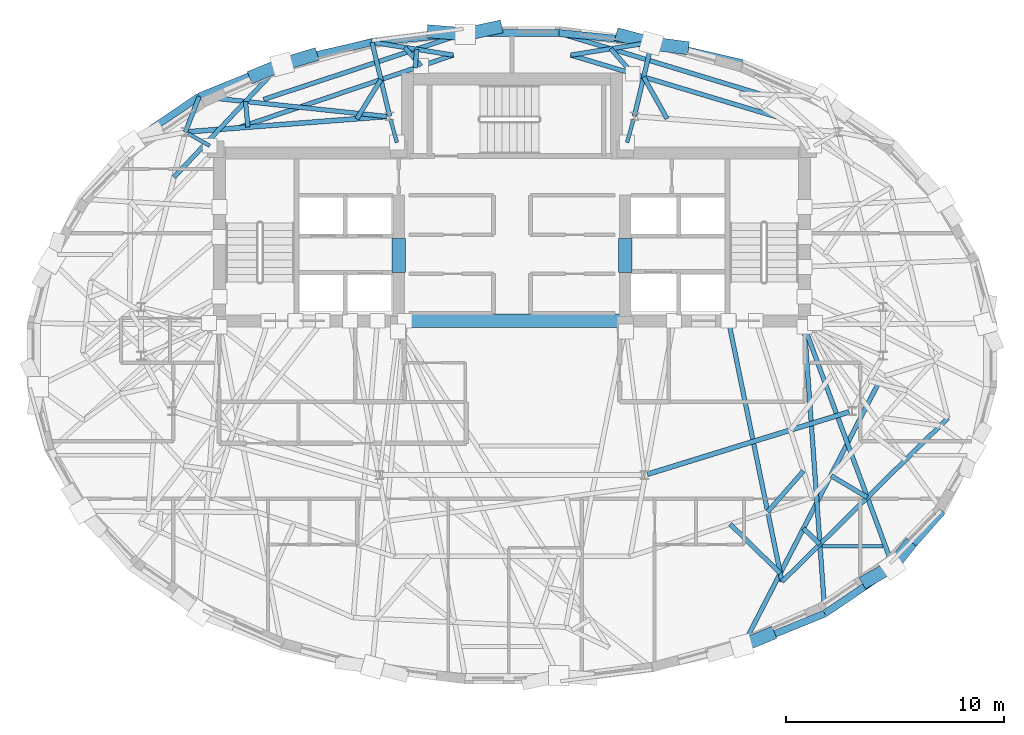
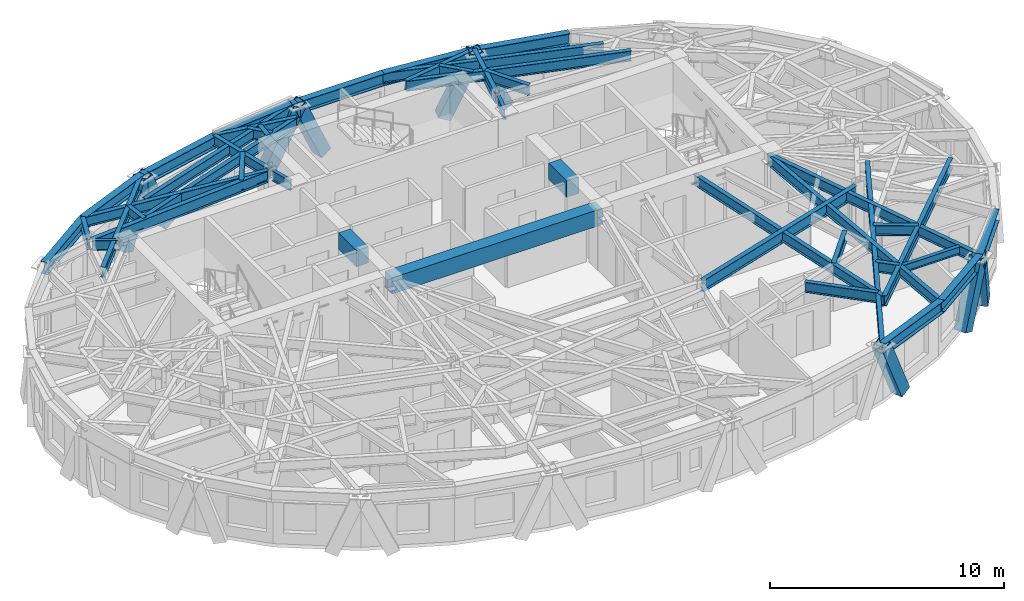
# One storey, part 3 of 13: 45 beams, 9 members.
"""IFC4 building model written with IfcOpenShell, lengths in metres."""

from ifc_helpers import new_model, si_unit, direction, frame, origin, origin_2d, place, context, subcontext, project, spatial, rectangle, hollow_rectangle, i_section, extrude, material, material_profile, profile_set, type_object, element, save


model = new_model("IFC4")

# Units and contexts
model_context = context("Model", 3, precision=1e-05, world=origin(), true_north=direction((0.0, 1.0)))
body_context = subcontext(model_context, "Body", "Model", "MODEL_VIEW")
ifc_project = project(units=[si_unit("LENGTHUNIT", "METRE"), si_unit("AREAUNIT", "SQUARE_METRE"), si_unit("VOLUMEUNIT", "CUBIC_METRE"), si_unit("PLANEANGLEUNIT", "RADIAN"), si_unit("MASSUNIT", "GRAM", prefix="KILO")], contexts=[model_context])

# Site, building, storey
site_placement = place(None, origin())
site = spatial("IfcSite", under=ifc_project, at=site_placement, CompositionType="ELEMENT")
building_placement = place(site_placement, origin())
building = spatial("IfcBuilding", under=site, at=building_placement, Name="Keldmark Tower", CompositionType="ELEMENT")
storey_placement = place(building_placement, frame((0.0, 0.0, 232.050048828125)))
storey = spatial("IfcBuildingStorey", under=building, at=storey_placement, Name="L65", CompositionType="ELEMENT", Elevation=232.050048828125)

# Beams
ifc_material_1 = material(Name="Steel ASTM A992 Grade 50", Category="steel")
ifc_material_profile_1 = material_profile(ifc_material_1, i_section(OverallWidth=0.177978515625, OverallDepth=0.403076171875, WebThickness=0.007568359375, FlangeThickness=0.010986328125, at=origin_2d()), Name="W16X36")
ifc_profile_set_1 = profile_set([ifc_material_profile_1], Name="Steel ASTM A992 Grade 50")
beam_type_1 = type_object("IfcBeamType", Name="Composite Floor Joist W16X36", PredefinedType="JOIST", material=ifc_profile_set_1)
beam_1_placement = place(storey_placement, frame((14.241455078125, -8.780029296875, 2.7685546875), z_axis=(1.0, 0.0, 0.0), x_axis=(0.0, 1.0, 0.0)))
element("IfcBeam", 1, at=beam_1_placement, inside=storey, type_object=beam_type_1, Name="L65 Composite Floor Joist J02", PredefinedType="JOIST", context=body_context, shape_type="SweptSolid", body=[
    extrude(i_section(OverallWidth=0.177978515625, OverallDepth=0.403076171875, WebThickness=0.007568359375, FlangeThickness=0.010986328125, at=origin_2d()), origin(), (0.0, 0.0, 1.0), 2.805419921875),
])
ifc_material_2 = material(Name="Concrete C50/60", Category="concrete")
ifc_material_profile_2 = material_profile(ifc_material_2, rectangle(XDim=0.60009765625, YDim=0.85009765625, at=origin_2d()), Name="RCB600X850")
ifc_profile_set_2 = profile_set([ifc_material_profile_2], Name="Concrete C50/60")
beam_type_2 = type_object("IfcBeamType", Name="Core Coupling Beam RCB600X850", PredefinedType="USERDEFINED", material=ifc_profile_set_2)
for number, where, z_axis, x_axis, name in (
    (2, (-5.199951171875, 3.800048828125, 2.544921875), (0.0, 1.0, 0.0), (-1.0, 0.0, 0.0), "L65 West Core Coupling Beam"),
    (3, (5.199951171875, 3.800048828125, 2.544921875), (0.0, 1.0, 0.0), (-1.0, 0.0, 0.0), "L65 East Core Coupling Beam"),
):
    element("IfcBeam", number, at=place(storey_placement, frame(where, z_axis=z_axis, x_axis=x_axis)), inside=storey, type_object=beam_type_2, Name=name, ObjectType="COUPLING BEAM", PredefinedType="USERDEFINED", context=body_context, shape_type="SweptSolid", body=[
        extrude(rectangle(XDim=0.60009765625, YDim=0.85009765625, at=origin_2d()), origin(), (0.0, 0.0, 1.0), 1.550048828125),
    ])
beam_2_placement = place(storey_placement, frame((-5.199951171875, 1.574951171875, 2.544921875), z_axis=(1.0, 0.0, 0.0), x_axis=(0.0, 1.0, 0.0)))
element("IfcBeam", 4, at=beam_2_placement, inside=storey, type_object=beam_type_2, Name="L65 Central South Core Coupling Beam", ObjectType="COUPLING BEAM", PredefinedType="USERDEFINED", context=body_context, shape_type="SweptSolid", body=[
    extrude(rectangle(XDim=0.60009765625, YDim=0.85009765625, at=origin_2d()), origin(), (0.0, 0.0, 1.0), 10.39990234375),
])

# Members
ifc_material_3 = material(Name="Steel ASTM A572 Grade 50", Category="steel")
ifc_material_profile_3 = material_profile(ifc_material_3, hollow_rectangle(XDim=0.60009765625, YDim=0.60009765625, WallThickness=0.034912109375, at=origin_2d()), Name="BOX600X600X35")
ifc_profile_set_3 = profile_set([ifc_material_profile_3], Name="Steel ASTM A572 Grade 50")
member_type = type_object("IfcMemberType", Name="Diagrid Zone 4 Brace BOX600X600X35", PredefinedType="BRACE", material=ifc_profile_set_3)
member_1_placement = place(storey_placement, frame((7.83935546875, 14.1220703125, -0.260009765625), z_axis=(-0.419875252522, 0.05540020693, 0.905889391367), x_axis=(-0.130810693925, -0.991407364485, 0.0)))
element("IfcMember", 5, at=member_1_placement, inside=storey, type_object=member_type, Name="L65 Perimeter Diagrid Brace 03B", PredefinedType="BRACE", context=body_context, shape_type="SweptSolid", body=[
    extrude(hollow_rectangle(XDim=0.60009765625, YDim=0.60009765625, WallThickness=0.034912109375, at=origin_2d()), origin(), (0.0, 0.0, 1.0), 3.432861328125),
])
member_2_placement = place(storey_placement, frame((5.050537109375, 14.669921875, -0.260009765625), z_axis=(0.397960766019, -0.106161024047, 0.911239302095), x_axis=(0.257749131885, 0.966211873769, 0.0)))
element("IfcMember", 6, at=member_2_placement, inside=storey, type_object=member_type, Name="L65 Perimeter Diagrid Brace 04A", PredefinedType="BRACE", context=body_context, shape_type="SweptSolid", body=[
    extrude(hollow_rectangle(XDim=0.60009765625, YDim=0.60009765625, WallThickness=0.034912109375, at=origin_2d()), origin(), (0.0, 0.0, 1.0), 3.412841796875),
])
member_3_placement = place(storey_placement, frame((-0.73681640625, 15.03515625, -0.260009765625), z_axis=(-0.41297782147, -0.089227117182, 0.906359664004), x_axis=(0.211184947414, -0.977446120247, 0.0)))
element("IfcMember", 7, at=member_3_placement, inside=storey, type_object=member_type, Name="L65 Perimeter Diagrid Brace 04B", PredefinedType="BRACE", context=body_context, shape_type="SweptSolid", body=[
    extrude(hollow_rectangle(XDim=0.60009765625, YDim=0.60009765625, WallThickness=0.034912109375, at=origin_2d()), origin(), (0.0, 0.0, 1.0), 3.43115234375),
])
member_4_placement = place(storey_placement, frame((-3.624267578125, 14.851318359375, -0.260009765625), z_axis=(0.429967981747, -0.035482450808, 0.902146623536), x_axis=(0.082243901852, 0.996612231817, 0.0)))
element("IfcMember", 8, at=member_4_placement, inside=storey, type_object=member_type, Name="L65 Perimeter Diagrid Brace 05A", PredefinedType="BRACE", context=body_context, shape_type="SweptSolid", body=[
    extrude(hollow_rectangle(XDim=0.60009765625, YDim=0.60009765625, WallThickness=0.034912109375, at=origin_2d()), origin(), (0.0, 0.0, 1.0), 3.447265625),
])
member_5_placement = place(storey_placement, frame((-9.212158203125, 13.748779296875, -0.260009765625), z_axis=(-0.393106124465, -0.11642815271, 0.912092133594), x_axis=(0.28398129133, -0.958829821279, 0.0)))
element("IfcMember", 9, at=member_5_placement, inside=storey, type_object=member_type, Name="L65 Perimeter Diagrid Brace 05B", PredefinedType="BRACE", context=body_context, shape_type="SweptSolid", body=[
    extrude(hollow_rectangle(XDim=0.60009765625, YDim=0.60009765625, WallThickness=0.034912109375, at=origin_2d()), origin(), (0.0, 0.0, 1.0), 3.40966796875),
])
for number, where, z_axis, x_axis, name in (
    (10, (-11.79345703125, 12.839111328125, -0.260009765625), (0.369084273861, 0.152441593611, 0.916808791039), (-0.381746765593, 0.924266956544, 0.0), "L65 Perimeter Diagrid Brace 06A"),
    (11, (11.79345703125, -12.839111328125, -0.260009765625), (-0.369084273861, -0.152441593611, 0.916808791039), (0.381746765593, -0.924266956544, 0.0), "L65 Perimeter Diagrid Brace 14A"),
):
    element("IfcMember", number, at=place(storey_placement, frame(where, z_axis=z_axis, x_axis=x_axis)), inside=storey, type_object=member_type, Name=name, PredefinedType="BRACE", context=body_context, shape_type="SweptSolid", body=[
        extrude(hollow_rectangle(XDim=0.60009765625, YDim=0.60009765625, WallThickness=0.034912109375, at=origin_2d()), origin(), (0.0, 0.0, 1.0), 3.39208984375),
    ])
member_6_placement = place(storey_placement, frame((16.324462890625, -10.34423828125, -0.260009765625), z_axis=(0.338365773657, 0.192287794861, 0.921159056388), x_axis=(-0.494076446789, 0.869418463531, 0.0)))
element("IfcMember", 12, at=member_6_placement, inside=storey, type_object=member_type, Name="L65 Perimeter Diagrid Brace 14B", PredefinedType="BRACE", context=body_context, shape_type="SweptSolid", body=[
    extrude(hollow_rectangle(XDim=0.60009765625, YDim=0.60009765625, WallThickness=0.034912109375, at=origin_2d()), origin(), (0.0, 0.0, 1.0), 3.3759765625),
])
member_7_placement = place(storey_placement, frame((18.16064453125, -8.81298828125, -0.260009765625), z_axis=(-0.212120336598, -0.268985698044, 0.939495426838), x_axis=(0.785218835087, -0.619218362958, 0.0)))
element("IfcMember", 13, at=member_7_placement, inside=storey, type_object=member_type, Name="L65 Perimeter Diagrid Brace 15A", PredefinedType="BRACE", context=body_context, shape_type="SweptSolid", body=[
    extrude(hollow_rectangle(XDim=0.60009765625, YDim=0.60009765625, WallThickness=0.034912109375, at=origin_2d()), origin(), (0.0, 0.0, 1.0), 3.31005859375),
])

# Beams
ifc_material_4 = material(Name="Steel ASTM A992 Grade 50", Category="steel")
ifc_material_profile_4 = material_profile(ifc_material_4, i_section(OverallWidth=0.22802734375, OverallDepth=0.60302734375, WebThickness=0.010498046875, FlangeThickness=0.014892578125, at=origin_2d()), Name="W24X68")
ifc_profile_set_4 = profile_set([ifc_material_profile_4], Name="Steel ASTM A992 Grade 50")
beam_type_3 = type_object("IfcBeamType", Name="Primary Floor Girder W24X68", PredefinedType="BEAM", material=ifc_profile_set_4)
beam_3_placement = place(storey_placement, frame((-5.75830078125, 10.956298828125, 2.66845703125), z_axis=(-0.997037147832, -0.076921556421, 0.0), x_axis=(0.076921556421, -0.997037147832, 0.0)))
element("IfcBeam", 14, at=beam_3_placement, inside=storey, type_object=beam_type_3, Name="L65 Floor Ring Girder FG-R04", PredefinedType="BEAM", context=body_context, shape_type="SweptSolid", body=[
    extrude(i_section(OverallWidth=0.22802734375, OverallDepth=0.60302734375, WebThickness=0.010498046875, FlangeThickness=0.014892578125, at=origin_2d()), origin(), (0.0, 0.0, 1.0), 9.125),
])
beam_4_placement = place(storey_placement, frame((6.223388671875, -5.471435546875, 2.66845703125), z_axis=(0.955383255089, 0.295368982622, 0.0), x_axis=(-0.295368982622, 0.955383255089, 0.0)))
element("IfcBeam", 15, at=beam_4_placement, inside=storey, type_object=beam_type_3, Name="L65 Floor Ring Girder FG-R10", PredefinedType="BEAM", context=body_context, shape_type="SweptSolid", body=[
    extrude(i_section(OverallWidth=0.22802734375, OverallDepth=0.60302734375, WebThickness=0.010498046875, FlangeThickness=0.014892578125, at=origin_2d()), origin(), (0.0, 0.0, 1.0), 9.69140625),
])
ifc_material_5 = material(Name="Steel ASTM A992 Grade 50", Category="steel")
ifc_material_profile_5 = material_profile(ifc_material_5, i_section(OverallWidth=0.166015625, OverallDepth=0.529052734375, WebThickness=0.009765625, FlangeThickness=0.013671875, at=origin_2d()), Name="W21X50")
ifc_profile_set_5 = profile_set([ifc_material_profile_5], Name="Steel ASTM A992 Grade 50")
beam_type_4 = type_object("IfcBeamType", Name="Radial Tie Girder W21X50", PredefinedType="BEAM", material=ifc_profile_set_5)
for number, where, z_axis, x_axis, name in (
    (16, (5.581298828125, 10.83203125, 2.70556640625), (-0.265936023434, -0.963990680163, 0.0), (0.963990680163, -0.265936023434, 0.0), "L65 Floor Radial Girder FG-C03"),
    (17, (-5.581298828125, 10.83203125, 2.70556640625), (0.265936023434, -0.963990680163, 0.0), (0.963990680163, 0.265936023434, 0.0), "L65 Floor Radial Girder FG-C04"),
):
    element("IfcBeam", number, at=place(storey_placement, frame(where, z_axis=z_axis, x_axis=x_axis)), inside=storey, type_object=beam_type_4, Name=name, PredefinedType="BEAM", context=body_context, shape_type="SweptSolid", body=[
        extrude(i_section(OverallWidth=0.166015625, OverallDepth=0.529052734375, WebThickness=0.009765625, FlangeThickness=0.013671875, at=origin_2d()), origin(), (0.0, 0.0, 1.0), 1.113525390625),
    ])
beam_5_placement = place(storey_placement, frame((-14.8740234375, 10.174560546875, 2.70556640625), z_axis=(0.869238046195, -0.494393789451, 0.0), x_axis=(0.494393789451, 0.869238046195, 0.0)))
element("IfcBeam", 18, at=beam_5_placement, inside=storey, type_object=beam_type_4, Name="L65 Floor Radial Girder FG-C05", PredefinedType="BEAM", context=body_context, shape_type="SweptSolid", body=[
    extrude(i_section(OverallWidth=0.166015625, OverallDepth=0.529052734375, WebThickness=0.009765625, FlangeThickness=0.013671875, at=origin_2d()), origin(), (0.0, 0.0, 1.0), 1.145751953125),
])
ifc_material_6 = material(Name="Steel ASTM A992 Grade 50", Category="steel")
ifc_material_profile_6 = material_profile(ifc_material_6, i_section(OverallWidth=0.2099609375, OverallDepth=0.537109375, WebThickness=0.010986328125, FlangeThickness=0.017333984375, at=origin_2d()), Name="W21X68")
ifc_profile_set_6 = profile_set([ifc_material_profile_6], Name="Steel ASTM A992 Grade 50")
beam_type_5 = type_object("IfcBeamType", Name="Radial Tie Girder W21X68", PredefinedType="BEAM", material=ifc_profile_set_6)
beam_6_placement = place(storey_placement, frame((13.381103515625, -5.323486328125, 2.701416015625), z_axis=(-0.658386631261, -0.752679907913, 0.0), x_axis=(0.752679907913, -0.658386631261, 0.0)))
element("IfcBeam", 19, at=beam_6_placement, inside=storey, type_object=beam_type_5, Name="L65 Framing Pin Header PH-011", PredefinedType="BEAM", context=body_context, shape_type="SweptSolid", body=[
    extrude(i_section(OverallWidth=0.2099609375, OverallDepth=0.537109375, WebThickness=0.010986328125, FlangeThickness=0.017333984375, at=origin_2d()), origin(), (0.0, 0.0, 1.0), 2.49072265625),
])
beam_7_placement = place(storey_placement, frame((9.939208984375, 1.574951171875, 2.701416015625), z_axis=(0.201216820999, -0.979546727291, 0.0), x_axis=(0.979546727291, 0.201216820999, 0.0)))
element("IfcBeam", 20, at=beam_7_placement, inside=storey, type_object=beam_type_5, Name="L65 Sub-Ring Step Girder STP2-M11", PredefinedType="BEAM", context=body_context, shape_type="SweptSolid", body=[
    extrude(i_section(OverallWidth=0.2099609375, OverallDepth=0.537109375, WebThickness=0.010986328125, FlangeThickness=0.017333984375, at=origin_2d()), origin(), (0.0, 0.0, 1.0), 12.2265625),
])
beam_8_placement = place(storey_placement, frame((12.3994140625, -10.401611328125, 2.701416015625), z_axis=(0.712109920775, 0.702067988683, 0.0), x_axis=(-0.702067988683, 0.712109920775, 0.0)))
element("IfcBeam", 21, at=beam_8_placement, inside=storey, type_object=beam_type_5, Name="L65 Perimeter Collector Ring Beam CRG2-M11", PredefinedType="BEAM", context=body_context, shape_type="SweptSolid", body=[
    extrude(i_section(OverallWidth=0.2099609375, OverallDepth=0.537109375, WebThickness=0.010986328125, FlangeThickness=0.017333984375, at=origin_2d()), origin(), (0.0, 0.0, 1.0), 10.697265625),
])
for number, where, z_axis, x_axis, name in (
    (22, (5.61865234375, 10.967041015625, 2.701416015625), (0.231236197602, 0.972897641542, 0.0), (-0.972897641542, 0.231236197602, 0.0), "L65 Perimeter Column Bracket RT-07"),
    (23, (-5.61865234375, 10.967041015625, 2.701416015625), (-0.231236197602, 0.972897641542, 0.0), (-0.972897641542, -0.231236197602, 0.0), "L65 Perimeter Column Bracket RT-10"),
):
    element("IfcBeam", number, at=place(storey_placement, frame(where, z_axis=z_axis, x_axis=x_axis)), inside=storey, type_object=beam_type_5, Name=name, PredefinedType="BEAM", context=body_context, shape_type="SweptSolid", body=[
        extrude(i_section(OverallWidth=0.2099609375, OverallDepth=0.537109375, WebThickness=0.010986328125, FlangeThickness=0.017333984375, at=origin_2d()), origin(), (0.0, 0.0, 1.0), 3.49267578125),
    ])
beam_9_placement = place(storey_placement, frame((-14.995849609375, 10.24365234375, 2.701416015625), z_axis=(0.361135466813, 0.932513364306, 0.0), x_axis=(-0.932513364306, 0.361135466813, 0.0)))
element("IfcBeam", 24, at=beam_9_placement, inside=storey, type_object=beam_type_5, Name="L65 Perimeter Column Bracket RT-12", PredefinedType="BEAM", context=body_context, shape_type="SweptSolid", body=[
    extrude(i_section(OverallWidth=0.2099609375, OverallDepth=0.537109375, WebThickness=0.010986328125, FlangeThickness=0.017333984375, at=origin_2d()), origin(), (0.0, 0.0, 1.0), 1.744140625),
])
beam_10_placement = place(storey_placement, frame((10.015869140625, -7.758056640625, 2.701416015625), z_axis=(0.713993507616, -0.700152319915, 0.0), x_axis=(0.700152319915, 0.713993507616, 0.0)))
element("IfcBeam", 25, at=beam_10_placement, inside=storey, type_object=beam_type_5, Name="L65 Framing Pin Header PH-032", PredefinedType="BEAM", context=body_context, shape_type="SweptSolid", body=[
    extrude(i_section(OverallWidth=0.2099609375, OverallDepth=0.537109375, WebThickness=0.010986328125, FlangeThickness=0.017333984375, at=origin_2d()), origin(), (0.0, 0.0, 1.0), 3.227783203125),
])
beam_11_placement = place(storey_placement, frame((16.823974609375, -1.294921875, 2.701416015625), z_axis=(-0.45873734007, -0.888571917644, 0.0), x_axis=(0.888571917644, -0.45873734007, 0.0)))
element("IfcBeam", 26, at=beam_11_placement, inside=storey, type_object=beam_type_5, Name="L65 Perimeter Radial Tie Girder RT-27", PredefinedType="BEAM", context=body_context, shape_type="SweptSolid", body=[
    extrude(i_section(OverallWidth=0.2099609375, OverallDepth=0.537109375, WebThickness=0.010986328125, FlangeThickness=0.017333984375, at=origin_2d()), origin(), (0.0, 0.0, 1.0), 13.63330078125),
])
beam_12_placement = place(storey_placement, frame((13.38427734375, -7.957763671875, 2.701416015625), z_axis=(0.718875949313, -0.695138381547, 0.0), x_axis=(0.695138381547, 0.718875949313, 0.0)))
element("IfcBeam", 27, at=beam_12_placement, inside=storey, type_object=beam_type_5, Name="L65 Framing Pin Header PH-033", PredefinedType="BEAM", context=body_context, shape_type="SweptSolid", body=[
    extrude(i_section(OverallWidth=0.2099609375, OverallDepth=0.537109375, WebThickness=0.010986328125, FlangeThickness=0.017333984375, at=origin_2d()), origin(), (0.0, 0.0, 1.0), 1.049072265625),
])
beam_13_placement = place(storey_placement, frame((13.425048828125, 1.300048828125, 2.701416015625), z_axis=(0.071261504304, -0.997457667274, 0.0), x_axis=(0.997457667274, 0.071261504304, 0.0)))
element("IfcBeam", 28, at=beam_13_placement, inside=storey, type_object=beam_type_5, Name="L65 Perimeter Radial Tie Girder RT-28", PredefinedType="BEAM", context=body_context, shape_type="SweptSolid", body=[
    extrude(i_section(OverallWidth=0.2099609375, OverallDepth=0.537109375, WebThickness=0.010986328125, FlangeThickness=0.017333984375, at=origin_2d()), origin(), (0.0, 0.0, 1.0), 13.20361328125),
])
beam_14_placement = place(storey_placement, frame((14.658447265625, -5.5419921875, 2.701416015625), z_axis=(0.858226282888, -0.51327151427, 0.0), x_axis=(0.51327151427, 0.858226282888, 0.0)))
element("IfcBeam", 29, at=beam_14_placement, inside=storey, type_object=beam_type_5, Name="L65 Framing Pin Header PH-034", PredefinedType="BEAM", context=body_context, shape_type="SweptSolid", body=[
    extrude(i_section(OverallWidth=0.2099609375, OverallDepth=0.537109375, WebThickness=0.010986328125, FlangeThickness=0.017333984375, at=origin_2d()), origin(), (0.0, 0.0, 1.0), 1.936279296875),
])
beam_15_placement = place(storey_placement, frame((13.425048828125, 1.300048828125, 2.701416015625), z_axis=(0.346596188863, -0.938014435851, 0.0), x_axis=(0.938014435851, 0.346596188863, 0.0)))
element("IfcBeam", 30, at=beam_15_placement, inside=storey, type_object=beam_type_5, Name="L65 Perimeter Radial Tie Girder RT-29", PredefinedType="BEAM", context=body_context, shape_type="SweptSolid", body=[
    extrude(i_section(OverallWidth=0.2099609375, OverallDepth=0.537109375, WebThickness=0.010986328125, FlangeThickness=0.017333984375, at=origin_2d()), origin(), (0.0, 0.0, 1.0), 11.771240234375),
])
beam_16_placement = place(storey_placement, frame((7.122802734375, 10.85107421875, 2.701416015625), z_axis=(-0.489069746044, 0.872244680984, 0.0), x_axis=(-0.872244680984, -0.489069746044, 0.0)))
element("IfcBeam", 31, at=beam_16_placement, inside=storey, type_object=beam_type_5, Name="L65 Framing Pin Header PH-038", PredefinedType="BEAM", context=body_context, shape_type="SweptSolid", body=[
    extrude(i_section(OverallWidth=0.2099609375, OverallDepth=0.537109375, WebThickness=0.010986328125, FlangeThickness=0.017333984375, at=origin_2d()), origin(), (0.0, 0.0, 1.0), 2.199462890625),
])
beam_17_placement = place(storey_placement, frame((12.191650390625, 10.92626953125, 2.701416015625), z_axis=(-0.957831708563, 0.287329807139, 0.0), x_axis=(-0.287329807139, -0.957831708563, 0.0)))
element("IfcBeam", 32, at=beam_17_placement, inside=storey, type_object=beam_type_5, Name="L65 Crown Step Radial Girder RT-08RN2", PredefinedType="BEAM", context=body_context, shape_type="SweptSolid", body=[
    extrude(i_section(OverallWidth=0.2099609375, OverallDepth=0.537109375, WebThickness=0.010986328125, FlangeThickness=0.017333984375, at=origin_2d()), origin(), (0.0, 0.0, 1.0), 9.91162109375),
])
beam_18_placement = place(storey_placement, frame((2.697998046875, 13.774169921875, 2.701416015625), z_axis=(0.987675234095, 0.156517193799, 0.0), x_axis=(-0.156517193799, 0.987675234095, 0.0)))
element("IfcBeam", 33, at=beam_18_placement, inside=storey, type_object=beam_type_5, Name="L65 Crown Step Collector Chord RT-08RP2", PredefinedType="BEAM", context=body_context, shape_type="SweptSolid", body=[
    extrude(i_section(OverallWidth=0.2099609375, OverallDepth=0.537109375, WebThickness=0.010986328125, FlangeThickness=0.017333984375, at=origin_2d()), origin(), (0.0, 0.0, 1.0), 3.77490234375),
])
beam_19_placement = place(storey_placement, frame((5.546142578125, 12.919921875, 2.701416015625), z_axis=(-0.662239510471, 0.749292219879, 0.0), x_axis=(-0.749292219879, -0.662239510471, 0.0)))
element("IfcBeam", 34, at=beam_19_placement, inside=storey, type_object=beam_type_5, Name="L65 Framing Pin Header PH-039", PredefinedType="BEAM", context=body_context, shape_type="SweptSolid", body=[
    extrude(i_section(OverallWidth=0.2099609375, OverallDepth=0.537109375, WebThickness=0.010986328125, FlangeThickness=0.017333984375, at=origin_2d()), origin(), (0.0, 0.0, 1.0), 1.528564453125),
])
beam_20_placement = place(storey_placement, frame((11.4375, 11.9716796875, 2.701416015625), z_axis=(-0.956963676177, 0.290207722981, 0.0), x_axis=(-0.290207722981, -0.956963676177, 0.0)))
element("IfcBeam", 35, at=beam_20_placement, inside=storey, type_object=beam_type_5, Name="L65 Perimeter Radial Tie Girder RT-08R", PredefinedType="BEAM", context=body_context, shape_type="SweptSolid", body=[
    extrude(i_section(OverallWidth=0.2099609375, OverallDepth=0.537109375, WebThickness=0.010986328125, FlangeThickness=0.017333984375, at=origin_2d()), origin(), (0.0, 0.0, 1.0), 9.707275390625),
])
beam_21_placement = place(storey_placement, frame((-7.122802734375, 10.85107421875, 2.701416015625), z_axis=(0.522922663545, 0.852380131134, 0.0), x_axis=(-0.852380131134, 0.522922663545, 0.0)))
element("IfcBeam", 36, at=beam_21_placement, inside=storey, type_object=beam_type_5, Name="L65 Framing Pin Header PH-040", PredefinedType="BEAM", context=body_context, shape_type="SweptSolid", body=[
    extrude(i_section(OverallWidth=0.2099609375, OverallDepth=0.537109375, WebThickness=0.010986328125, FlangeThickness=0.017333984375, at=origin_2d()), origin(), (0.0, 0.0, 1.0), 2.111328125),
])
beam_22_placement = place(storey_placement, frame((-12.581787109375, 10.429931640625, 2.701416015625), z_axis=(0.94724635445, 0.320506386801, 0.0), x_axis=(-0.320506386801, 0.94724635445, 0.0)))
element("IfcBeam", 37, at=beam_22_placement, inside=storey, type_object=beam_type_5, Name="L65 Crown Step Radial Girder RT-09RN1", PredefinedType="BEAM", context=body_context, shape_type="SweptSolid", body=[
    extrude(i_section(OverallWidth=0.2099609375, OverallDepth=0.537109375, WebThickness=0.010986328125, FlangeThickness=0.017333984375, at=origin_2d()), origin(), (0.0, 0.0, 1.0), 10.434326171875),
])
beam_23_placement = place(storey_placement, frame((-2.697998046875, 13.774169921875, 2.701416015625), z_axis=(-0.987675234095, 0.156517193799, 0.0), x_axis=(-0.156517193799, -0.987675234095, 0.0)))
element("IfcBeam", 38, at=beam_23_placement, inside=storey, type_object=beam_type_5, Name="L65 Crown Step Collector Chord RT-09RP1", PredefinedType="BEAM", context=body_context, shape_type="SweptSolid", body=[
    extrude(i_section(OverallWidth=0.2099609375, OverallDepth=0.537109375, WebThickness=0.010986328125, FlangeThickness=0.017333984375, at=origin_2d()), origin(), (0.0, 0.0, 1.0), 3.77490234375),
])
beam_24_placement = place(storey_placement, frame((-4.1806640625, 13.272705078125, 2.701416015625), z_axis=(-0.654840027108, 0.755767516434, 0.0), x_axis=(-0.755767516434, -0.654840027108, 0.0)))
element("IfcBeam", 39, at=beam_24_placement, inside=storey, type_object=beam_type_5, Name="L65 Framing Pin Header PH-041", PredefinedType="BEAM", context=body_context, shape_type="SweptSolid", body=[
    extrude(i_section(OverallWidth=0.2099609375, OverallDepth=0.537109375, WebThickness=0.010986328125, FlangeThickness=0.017333984375, at=origin_2d()), origin(), (0.0, 0.0, 1.0), 1.129638671875),
])
beam_25_placement = place(storey_placement, frame((-4.375732421875, 14.0400390625, 2.701416015625), z_axis=(-0.082293949072, -0.996608100482, 0.0), x_axis=(0.996608100482, -0.082293949072, 0.0)))
element("IfcBeam", 40, at=beam_25_placement, inside=storey, type_object=beam_type_5, Name="L65 Framing Pin Header PH-042", PredefinedType="BEAM", context=body_context, shape_type="SweptSolid", body=[
    extrude(i_section(OverallWidth=0.2099609375, OverallDepth=0.537109375, WebThickness=0.010986328125, FlangeThickness=0.017333984375, at=origin_2d()), origin(), (0.0, 0.0, 1.0), 0.8603515625),
])
beam_26_placement = place(storey_placement, frame((-11.41015625, 11.736083984375, 2.701416015625), z_axis=(0.949744356652, 0.313026607506, 0.0), x_axis=(-0.313026607506, 0.949744356652, 0.0)))
element("IfcBeam", 41, at=beam_26_placement, inside=storey, type_object=beam_type_5, Name="L65 Perimeter Radial Tie Girder RT-09R", PredefinedType="BEAM", context=body_context, shape_type="SweptSolid", body=[
    extrude(i_section(OverallWidth=0.2099609375, OverallDepth=0.537109375, WebThickness=0.010986328125, FlangeThickness=0.017333984375, at=origin_2d()), origin(), (0.0, 0.0, 1.0), 9.752197265625),
])
beam_27_placement = place(storey_placement, frame((-5.75830078125, 10.956298828125, 2.701416015625), z_axis=(-0.994411867559, 0.105570060421, 0.0), x_axis=(-0.105570060421, -0.994411867559, 0.0)))
element("IfcBeam", 42, at=beam_27_placement, inside=storey, type_object=beam_type_5, Name="L65 Straddling Support Chord RT-11RB", PredefinedType="BEAM", context=body_context, shape_type="SweptSolid", body=[
    extrude(i_section(OverallWidth=0.2099609375, OverallDepth=0.537109375, WebThickness=0.010986328125, FlangeThickness=0.017333984375, at=origin_2d()), origin(), (0.0, 0.0, 1.0), 8.656005859375),
])
beam_28_placement = place(storey_placement, frame((-12.126708984375, 10.465087890625, 2.701416015625), z_axis=(-0.092989410044, 0.995667097789, 0.0), x_axis=(-0.995667097789, -0.092989410044, 0.0)))
element("IfcBeam", 43, at=beam_28_placement, inside=storey, type_object=beam_type_5, Name="L65 Framing Pin Header PH-043", PredefinedType="BEAM", context=body_context, shape_type="SweptSolid", body=[
    extrude(i_section(OverallWidth=0.2099609375, OverallDepth=0.537109375, WebThickness=0.010986328125, FlangeThickness=0.017333984375, at=origin_2d()), origin(), (0.0, 0.0, 1.0), 1.18408203125),
])
beam_29_placement = place(storey_placement, frame((-15.5205078125, 8.1669921875, 2.701416015625), z_axis=(0.686603647825, 0.727031932444, 0.0), x_axis=(-0.727031932444, 0.686603647825, 0.0)))
element("IfcBeam", 44, at=beam_29_placement, inside=storey, type_object=beam_type_5, Name="L65 Perimeter Radial Tie Girder RT-11R", PredefinedType="BEAM", context=body_context, shape_type="SweptSolid", body=[
    extrude(i_section(OverallWidth=0.2099609375, OverallDepth=0.537109375, WebThickness=0.010986328125, FlangeThickness=0.017333984375, at=origin_2d()), origin(), (0.0, 0.0, 1.0), 7.21044921875),
])
ifc_material_7 = material(Name="Steel ASTM A992 Grade 50", Category="steel")
ifc_material_profile_7 = material_profile(ifc_material_7, i_section(OverallWidth=0.326904296875, OverallDepth=0.6220703125, WebThickness=0.015380859375, FlangeThickness=0.0244140625, at=origin_2d()), Name="W24X131")
ifc_profile_set_7 = profile_set([ifc_material_profile_7], Name="Steel ASTM A992 Grade 50")
beam_type_6 = type_object("IfcBeamType", Name="Spandrel Ring Beam W24X131", PredefinedType="SPANDREL", material=ifc_profile_set_7)
beam_30_placement = place(storey_placement, frame((10.56982421875, 13.4091796875, 2.658935546875), z_axis=(-0.974411512007, 0.224771451185, 0.0), x_axis=(-0.224771451185, -0.974411512007, 0.0)))
element("IfcBeam", 45, at=beam_30_placement, inside=storey, type_object=beam_type_6, Name="L65 Perimeter Spandrel Ring Beam SRB-06", PredefinedType="SPANDREL", context=body_context, shape_type="SweptSolid", body=[
    extrude(i_section(OverallWidth=0.326904296875, OverallDepth=0.6220703125, WebThickness=0.015380859375, FlangeThickness=0.0244140625, at=origin_2d()), origin(), (0.0, 0.0, 1.0), 4.25244140625),
])
beam_31_placement = place(storey_placement, frame((6.42626953125, 14.364990234375, 2.658935546875), z_axis=(-0.995128970973, 0.098581596303, 0.0), x_axis=(-0.098581596303, -0.995128970973, 0.0)))
element("IfcBeam", 46, at=beam_31_placement, inside=storey, type_object=beam_type_6, Name="L65 Perimeter Spandrel Ring Beam SRB-07", PredefinedType="SPANDREL", context=body_context, shape_type="SweptSolid", body=[
    extrude(i_section(OverallWidth=0.326904296875, OverallDepth=0.6220703125, WebThickness=0.015380859375, FlangeThickness=0.0244140625, at=origin_2d()), origin(), (0.0, 0.0, 1.0), 4.29931640625),
])
beam_32_placement = place(storey_placement, frame((2.14794921875, 14.788818359375, 2.658935546875), z_axis=(-1.0, 0.0, 0.0), x_axis=(0.0, -1.0, 0.0)))
element("IfcBeam", 47, at=beam_32_placement, inside=storey, type_object=beam_type_6, Name="L65 Perimeter Spandrel Ring Beam SRB-08", PredefinedType="SPANDREL", context=body_context, shape_type="SweptSolid", body=[
    extrude(i_section(OverallWidth=0.326904296875, OverallDepth=0.6220703125, WebThickness=0.015380859375, FlangeThickness=0.0244140625, at=origin_2d()), origin(), (0.0, 0.0, 1.0), 4.2958984375),
])
beam_33_placement = place(storey_placement, frame((-2.14794921875, 14.788818359375, 2.658935546875), z_axis=(-0.995128970973, -0.098581596303, 0.0), x_axis=(0.098581596303, -0.995128970973, 0.0)))
element("IfcBeam", 48, at=beam_33_placement, inside=storey, type_object=beam_type_6, Name="L65 Perimeter Spandrel Ring Beam SRB-09", PredefinedType="SPANDREL", context=body_context, shape_type="SweptSolid", body=[
    extrude(i_section(OverallWidth=0.326904296875, OverallDepth=0.6220703125, WebThickness=0.015380859375, FlangeThickness=0.0244140625, at=origin_2d()), origin(), (0.0, 0.0, 1.0), 4.29931640625),
])
beam_34_placement = place(storey_placement, frame((-6.42626953125, 14.364990234375, 2.658935546875), z_axis=(-0.974411512007, -0.224771451185, 0.0), x_axis=(0.224771451185, -0.974411512007, 0.0)))
element("IfcBeam", 49, at=beam_34_placement, inside=storey, type_object=beam_type_6, Name="L65 Perimeter Spandrel Ring Beam SRB-10", PredefinedType="SPANDREL", context=body_context, shape_type="SweptSolid", body=[
    extrude(i_section(OverallWidth=0.326904296875, OverallDepth=0.6220703125, WebThickness=0.015380859375, FlangeThickness=0.0244140625, at=origin_2d()), origin(), (0.0, 0.0, 1.0), 4.25244140625),
])
beam_35_placement = place(storey_placement, frame((-10.56982421875, 13.4091796875, 2.658935546875), z_axis=(-0.926731976866, -0.375723093586, 0.0), x_axis=(0.375723093586, -0.926731976866, 0.0)))
element("IfcBeam", 50, at=beam_35_placement, inside=storey, type_object=beam_type_6, Name="L65 Perimeter Spandrel Ring Beam SRB-11", PredefinedType="SPANDREL", context=body_context, shape_type="SweptSolid", body=[
    extrude(i_section(OverallWidth=0.326904296875, OverallDepth=0.6220703125, WebThickness=0.015380859375, FlangeThickness=0.0244140625, at=origin_2d()), origin(), (0.0, 0.0, 1.0), 4.09619140625),
])
beam_36_placement = place(storey_placement, frame((-14.365966796875, 11.8701171875, 2.658935546875), z_axis=(-0.827637036896, -0.561263694851, 0.0), x_axis=(0.561263694851, -0.827637036896, 0.0)))
element("IfcBeam", 51, at=beam_36_placement, inside=storey, type_object=beam_type_6, Name="L65 Perimeter Spandrel Ring Beam SRB-12", PredefinedType="SPANDREL", context=body_context, shape_type="SweptSolid", body=[
    extrude(i_section(OverallWidth=0.326904296875, OverallDepth=0.6220703125, WebThickness=0.015380859375, FlangeThickness=0.0244140625, at=origin_2d()), origin(), (0.0, 0.0, 1.0), 3.792724609375),
])
beam_37_placement = place(storey_placement, frame((10.56982421875, -13.4091796875, 2.658935546875), z_axis=(0.926731976866, 0.375723093586, 0.0), x_axis=(-0.375723093586, 0.926731976866, 0.0)))
element("IfcBeam", 52, at=beam_37_placement, inside=storey, type_object=beam_type_6, Name="L65 Perimeter Spandrel Ring Beam SRB-27", PredefinedType="SPANDREL", context=body_context, shape_type="SweptSolid", body=[
    extrude(i_section(OverallWidth=0.326904296875, OverallDepth=0.6220703125, WebThickness=0.015380859375, FlangeThickness=0.0244140625, at=origin_2d()), origin(), (0.0, 0.0, 1.0), 4.09619140625),
])
beam_38_placement = place(storey_placement, frame((14.365966796875, -11.8701171875, 2.658935546875), z_axis=(0.827637036896, 0.561263694851, 0.0), x_axis=(-0.561263694851, 0.827637036896, 0.0)))
element("IfcBeam", 53, at=beam_38_placement, inside=storey, type_object=beam_type_6, Name="L65 Perimeter Spandrel Ring Beam SRB-28", PredefinedType="SPANDREL", context=body_context, shape_type="SweptSolid", body=[
    extrude(i_section(OverallWidth=0.326904296875, OverallDepth=0.6220703125, WebThickness=0.015380859375, FlangeThickness=0.0244140625, at=origin_2d()), origin(), (0.0, 0.0, 1.0), 3.792724609375),
])
beam_39_placement = place(storey_placement, frame((17.5048828125, -9.741455078125, 2.658935546875), z_axis=(0.66136043846, 0.750068243855, 0.0), x_axis=(-0.750068243855, 0.66136043846, 0.0)))
element("IfcBeam", 54, at=beam_39_placement, inside=storey, type_object=beam_type_6, Name="L65 Perimeter Spandrel Ring Beam SRB-29", PredefinedType="SPANDREL", context=body_context, shape_type="SweptSolid", body=[
    extrude(i_section(OverallWidth=0.326904296875, OverallDepth=0.6220703125, WebThickness=0.015380859375, FlangeThickness=0.0244140625, at=origin_2d()), origin(), (0.0, 0.0, 1.0), 3.431884765625),
])

save(model, "model.ifc")
